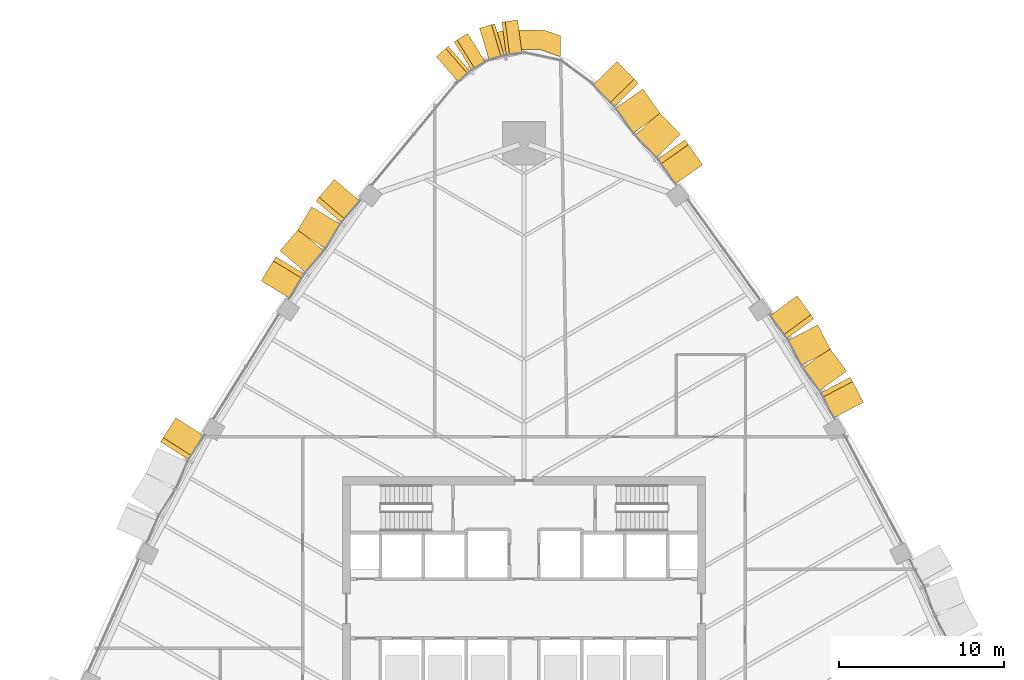
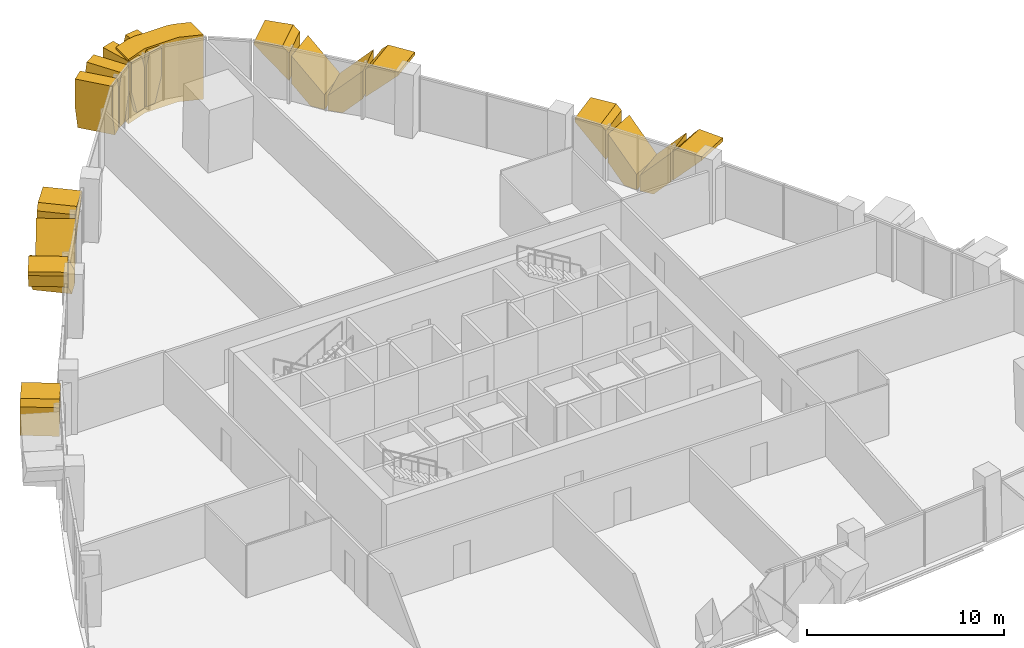
# One storey, part 16 of 17: 18 coverings.
"""IFC4 building model written with IfcOpenShell, lengths in metres."""

from ifc_helpers import new_model, si_unit, direction, frame, origin, place, context, subcontext, project, spatial, polyline, outline, extrude, material, layer, layer_set, type_object, element, save


model = new_model("IFC4")

# Units and contexts
model_context = context("Model", 3, precision=1e-05, world=origin(), true_north=direction((0.0, 1.0)))
body_context = subcontext(model_context, "Body", "Model", "MODEL_VIEW")
ifc_project = project(units=[si_unit("LENGTHUNIT", "METRE"), si_unit("AREAUNIT", "SQUARE_METRE"), si_unit("VOLUMEUNIT", "CUBIC_METRE"), si_unit("PLANEANGLEUNIT", "RADIAN"), si_unit("MASSUNIT", "GRAM", prefix="KILO")], contexts=[model_context])

# Site, building, storey
site_placement = place(None, origin())
site = spatial("IfcSite", under=ifc_project, at=site_placement, CompositionType="ELEMENT")
building_placement = place(site_placement, origin())
building = spatial("IfcBuilding", under=site, at=building_placement, Name="Sierra Prisma Convention Tower", CompositionType="ELEMENT")
storey_placement = place(building_placement, frame((0.0, 0.0, 149.800048828125)))
storey = spatial("IfcBuildingStorey", under=building, at=storey_placement, Name="L32", CompositionType="ELEMENT", Elevation=149.800048828125)

# Coverings
ifc_material_1 = material(Name="Aluminium composite bronze anodised", Category="aluminium")
ifc_layer_1 = layer(ifc_material_1, 1.199951171875)
ifc_layer_set_1 = layer_set([ifc_layer_1], Name="Bronze corner pier")
covering_type_1 = type_object("IfcCoveringType", Name="Bronze corner pier", PredefinedType="CLADDING", material=ifc_layer_set_1)
covering_1_placement = place(storey_placement, frame((0.0, 0.0, -0.60009765625)))
element("IfcCovering", 1, at=covering_1_placement, inside=storey, type_object=covering_type_1, Name="Corner pier N L32.1", PredefinedType="CLADDING", context=body_context, shape_type="SweptSolid", body=[
    extrude(outline(polyline([(-1.364990234375, 34.99169921875), (-0.966796875, 35.059814453125), (0.966796875, 35.059814453125), (1.364990234375, 34.99169921875), (2.199951171875, 34.697998046875), (2.199951171875, 33.42578125), (0.966796875, 33.859619140625), (-0.966796875, 33.859619140625), (-2.199951171875, 33.42578125), (-2.199951171875, 34.697998046875), (-1.364990234375, 34.99169921875)])), origin(), (0.0, 0.0, 1.0), 4.0),
])
ifc_material_2 = material(Name="Aluminium 6063-T6 bronze anodised", Category="aluminium")
ifc_layer_2 = layer(ifc_material_2, 2.0)
ifc_layer_set_2 = layer_set([ifc_layer_2], Name="Bronze crystal chevron frame")
covering_type_2 = type_object("IfcCoveringType", Name="Bronze crystal chevron frame", PredefinedType="CLADDING", material=ifc_layer_set_2)
covering_2_placement = place(storey_placement, frame((20.552001953125, 12.489013671875, 3.280029296875), z_axis=(0.887606322111, 0.460602882055, 4.4614027e-05), x_axis=(3.9599693e-05, 2.054935e-05, -0.999999999005)))
element("IfcCovering", 2, at=covering_2_placement, inside=storey, type_object=covering_type_2, Name="CW-2 chevron frame NE4.1.1", PredefinedType="CLADDING", context=body_context, shape_type="SweptSolid", body=[
    extrude(outline(polyline([(0.0, 0.0), (0.23120117164490728, -7.833400400877172e-22), (2.095458982933458, 1.715786077523787), (0.3234863284469355, 1.715786077523787), (-3.987140075027452e-09, 1.4182303503337503), (0.0, 0.0)])), origin(), (0.0, 0.0, -1.0), 2.0),
])
covering_3_placement = place(storey_placement, frame((19.527099609375, 14.38818359375, 2.815185546875), z_axis=(0.804667822431, 0.593725266951, 5.411485e-05), x_axis=(4.3544478e-05, 3.2129354e-05, -0.999999998536)))
element("IfcCovering", 3, at=covering_3_placement, inside=storey, type_object=covering_type_2, Name="CW-2 chevron frame NE4.1.2", PredefinedType="CLADDING", context=body_context, shape_type="SweptSolid", body=[
    extrude(outline(polyline([(0.0, 0.0), (1.7717285130308202, -6.002849705297322e-21), (2.8151855537824466, 0.9604313549576733), (2.815185545808659, 1.7160197150749164), (1.8640136722013727, 1.7160197150749164), (0.0, 0.0)])), origin(), (0.0, 0.0, -1.0), 2.0),
])
covering_4_placement = place(storey_placement, frame((18.22607421875, 16.333984375, 0.0), z_axis=(0.887609133104, 0.460597467227, -3.798948e-06), x_axis=(-0.311936224342, 0.601132781805, 0.735754830485)))
element("IfcCovering", 4, at=covering_4_placement, inside=storey, type_object=covering_type_2, Name="CW-2 chevron frame NE4.2.1", PredefinedType="CLADDING", context=body_context, shape_type="SweptSolid", body=[
    extrude(outline(polyline([(0.0, 0.0), (1.4182129536292676, 1.1102230246251565e-16), (2.721770767308585, 1.1998995622255482), (0.18830104517702229, 1.1998979587994687), (-0.5115282564758122, 0.5557187257237163), (0.0, 0.0)])), origin(), (0.0, 0.0, -1.0), 2.0),
])
covering_5_placement = place(storey_placement, frame((16.530517578125, 18.943603515625, 3.280029296875), z_axis=(0.804638072111, 0.593765587458, 7.756864e-06), x_axis=(0.593765587476, -0.804638072135, 8.5e-11)))
element("IfcCovering", 5, at=covering_5_placement, inside=storey, type_object=covering_type_2, Name="CW-2 chevron frame NE4.2.2", PredefinedType="CLADDING", context=body_context, shape_type="SweptSolid", body=[
    extrude(outline(polyline([(0.0, 0.0), (1.418158169034217, -8.470329472543003e-22), (1.715823265221849, 0.32348632828055923), (1.7158232650712495, 2.0954589844772507), (-1.9649718384997093e-11, 0.23120117186804445), (0.0, 0.0)])), origin(), (0.0, 0.0, -1.0), 2.0),
])
covering_6_placement = place(storey_placement, frame((10.8095703125, 26.884765625, 3.280029296875), z_axis=(0.817944912029, 0.575296549994, -2.1228074e-05), x_axis=(-1.7363395e-05, -1.2212438e-05, -0.999999999775)))
element("IfcCovering", 6, at=covering_6_placement, inside=storey, type_object=covering_type_2, Name="CW-2 chevron frame NE6.1.1", PredefinedType="CLADDING", context=body_context, shape_type="SweptSolid", body=[
    extrude(outline(polyline([(0.0, 0.0), (0.19628906245577302, 0.0), (2.069335937195472, 1.844316508643587), (0.35888671883086276, 1.844316508643587), (-8.592356295800021e-10, 1.4908817424537202), (0.0, 0.0)])), origin(), (0.0, 0.0, -1.0), 2.0),
])
covering_7_placement = place(storey_placement, frame((9.4658203125, 28.73486328125, 2.7890625), z_axis=(0.717809839196, 0.696239207974, 5.7639e-06), x_axis=(4.137384e-06, 4.013053e-06, -0.999999999983)))
element("IfcCovering", 7, at=covering_7_placement, inside=storey, type_object=covering_type_2, Name="CW-2 chevron frame NE6.1.2", PredefinedType="CLADDING", context=body_context, shape_type="SweptSolid", body=[
    extrude(outline(polyline([(0.0, 0.0), (1.7102050780965914, 7.243000238667449e-22), (2.789062500076762, 1.0625104340531393), (2.7890624999895124, 1.8444582500069264), (1.8730468750047287, 1.8444582500069264), (0.0, 0.0)])), origin(), (0.0, 0.0, -1.0), 2.0),
])
covering_8_placement = place(storey_placement, frame((8.260986328125, 29.963134765625, 0.0), z_axis=(0.817937679088, 0.575306833716, -1.4431368e-05), x_axis=(-0.575306833776, 0.817937679173, -6.99e-10)))
element("IfcCovering", 8, at=covering_8_placement, inside=storey, type_object=covering_type_2, Name="CW-2 chevron frame NE6.2.1", PredefinedType="CLADDING", context=body_context, shape_type="SweptSolid", body=[
    extrude(outline(polyline([(0.0, 0.0), (0.7820525425004834, 0.0), (1.844316507839079, 1.078857423277213), (1.8443165066430038, 2.7890625012241257), (-6.406386861899138e-10, 0.9160156249046132), (0.0, 0.0)])), origin(), (0.0, 0.0, -1.0), 2.0),
])
covering_9_placement = place(storey_placement, frame((5.633056640625, 33.13720703125, 3.280029296875), z_axis=(0.717872082241, 0.696175029289, -4.6192739e-05), x_axis=(0.696175030031, -0.717872083007, 2.729e-09)))
element("IfcCovering", 9, at=covering_9_placement, inside=storey, type_object=covering_type_2, Name="CW-2 chevron frame NE6.2.2", PredefinedType="CLADDING", context=body_context, shape_type="SweptSolid", body=[
    extrude(outline(polyline([(0.0, 0.0), (1.491036972557644, -6.776263578034403e-21), (1.8442882776051868, 0.35888672416533407), (1.8442882729379453, 2.0693359410904826), (-5.356069394068995e-10, 0.19628906229058224), (0.0, 0.0)])), origin(), (0.0, 0.0, -1.0), 2.0),
])
covering_10_placement = place(storey_placement, frame((-0.392822265625, 35.6513671875, 3.280029296875), z_axis=(-0.132567073574, 0.9911740364, -2.3864798e-05), x_axis=(3.163686e-06, -2.3654168e-05, -0.999999999715)))
element("IfcCovering", 10, at=covering_10_placement, inside=storey, type_object=covering_type_2, Name="CW-2 chevron frame N3.1.1", PredefinedType="CLADDING", context=body_context, shape_type="SweptSolid", body=[
    extrude(outline(polyline([(0.0, 0.0), (1.7910156244899829, 0.0), (3.280029298173356, 0.4044610655341048), (3.280029296617557, 0.9611233162991949), (0.7507324223378103, 0.9611233162991949), (-8.078560820564989e-10, 0.7571665175823399), (0.0, 0.0)])), origin(), (0.0, 0.0, -1.0), 2.0),
])
covering_11_placement = place(storey_placement, frame((-1.779052734375, 35.430908203125, 0.0), z_axis=(-0.285846861183, 0.958275310416, -3.7411765e-05), x_axis=(-0.958275311086, -0.285846861383, -3.611e-09)))
element("IfcCovering", 11, at=covering_11_placement, inside=storey, type_object=covering_type_2, Name="CW-2 chevron frame N3.1.2", PredefinedType="CLADDING", context=body_context, shape_type="SweptSolid", body=[
    extrude(outline(polyline([(0.0, 0.0), (0.556690358482719, 8.470329472543003e-22), (0.9609844166131228, 1.4890136757158638), (0.9609844101450472, 3.280029299462475), (0.2037724007224115, 3.280029300868464), (-9.134305292843346e-09, 2.5292968732299475), (0.0, 0.0)])), origin(), (0.0, 0.0, -1.0), 2.0),
])
covering_12_placement = place(storey_placement, frame((-3.41650390625, 34.833740234375, 3.280029296875), z_axis=(-0.527450840366, 0.849585552176, 2.3029461e-05), x_axis=(-1.2146908e-05, 1.9565497e-05, -0.999999999735)))
element("IfcCovering", 12, at=covering_12_placement, inside=storey, type_object=covering_type_2, Name="CW-2 chevron frame N4.1.1", PredefinedType="CLADDING", context=body_context, shape_type="SweptSolid", body=[
    extrude(outline(polyline([(0.0, 0.0), (1.7910156245250621, 0.0), (3.2800292954862273, 0.4040483082124935), (3.2800292963200857, 0.9609379961233819), (0.7507324219907999, 0.9609379961233819), (-3.465944165996615e-09, 0.7570112109603525), (0.0, 0.0)])), origin(), (0.0, 0.0, -1.0), 2.0),
])
covering_13_placement = place(storey_placement, frame((-4.590087890625, 34.06396484375, 0.0), z_axis=(-0.653913291259, 0.756569499228, 1.8754063e-05), x_axis=(-0.756569499361, -0.653913291374, 3.68e-10)))
element("IfcCovering", 13, at=covering_13_placement, inside=storey, type_object=covering_type_2, Name="CW-2 chevron frame N4.1.2", PredefinedType="CLADDING", context=body_context, shape_type="SweptSolid", body=[
    extrude(outline(polyline([(0.0, 0.0), (0.5566570077728459, 0.0), (0.9609953084321377, 1.4890136715167568), (0.960995309090576, 3.280029296201793), (0.2037187539371591, 3.2800292983645294), (9.298555853434804e-10, 2.5292968745552047), (0.0, 0.0)])), origin(), (0.0, 0.0, -1.0), 2.0),
])
covering_14_placement = place(storey_placement, frame((-11.495849609375, 25.994384765625, 3.280029296875), z_axis=(-0.76296110563, 0.646444390903, 2.7684723e-05), x_axis=(-2.1122367e-05, 1.7896634e-05, -0.999999999617)))
element("IfcCovering", 14, at=covering_14_placement, inside=storey, type_object=covering_type_2, Name="CW-2 chevron frame NW2.1.1", PredefinedType="CLADDING", context=body_context, shape_type="SweptSolid", body=[
    extrude(outline(polyline([(0.0, 0.0), (0.23364257803546304, 0.0), (2.097167968192382, 1.7077990622776997), (0.3210449219980315, 1.7077990622776997), (-1.5403725272748585e-09, 1.413672734873217), (0.0, 0.0)])), origin(), (0.0, 0.0, -1.0), 2.0),
])
covering_15_placement = place(storey_placement, frame((-12.859130859375, 24.33154296875, 2.817138671875), z_axis=(-0.854690544712, 0.519137816719, -5.745895e-06), x_axis=(4.910962e-06, -2.982911e-06, -0.999999999983)))
element("IfcCovering", 15, at=covering_15_placement, inside=storey, type_object=covering_type_2, Name="CW-2 chevron frame NW2.1.2", PredefinedType="CLADDING", context=body_context, shape_type="SweptSolid", body=[
    extrude(outline(polyline([(0.0, 0.0), (1.7761230468456806, -7.522173695404095e-22), (2.8171386719529883, 0.9537654348540697), (2.8171386718628653, 1.7075999728777846), (1.8635253906286071, 1.7075999728777846), (0.0, 0.0)])), origin(), (0.0, 0.0, -1.0), 2.0),
])
covering_16_placement = place(storey_placement, frame((-13.673095703125, 22.972900390625, 0.0), z_axis=(-0.763023179875, 0.646371121576, 1.2870459e-05), x_axis=(-0.64637112163, -0.763023179938, -6e-10)))
element("IfcCovering", 16, at=covering_16_placement, inside=storey, type_object=covering_type_2, Name="CW-2 chevron frame NW2.2.1", PredefinedType="CLADDING", context=body_context, shape_type="SweptSolid", body=[
    extrude(outline(polyline([(0.0, 0.0), (0.7538670338641428, -8.470329472543003e-22), (1.7076412474758345, 1.0410156261104824), (1.7076412464104975, 2.8171386728383765), (-5.719871641787814e-10, 0.9536132811710176), (0.0, 0.0)])), origin(), (0.0, 0.0, -1.0), 2.0),
])
covering_17_placement = place(storey_placement, frame((-15.922607421875, 19.8505859375, 3.280029296875), z_axis=(-0.854692289852, 0.519134943601, 7.5163e-07), x_axis=(0.519134943601, 0.854692289852, 1e-12)))
element("IfcCovering", 17, at=covering_17_placement, inside=storey, type_object=covering_type_2, Name="CW-2 chevron frame NW2.2.2", PredefinedType="CLADDING", context=body_context, shape_type="SweptSolid", body=[
    extrude(outline(polyline([(0.0, 0.0), (1.4136698688823133, -5.293955920339377e-23), (1.7075999728879863, 0.3210449218764622), (1.7075999728865596, 2.0971679687509606), (-1.8765370444670038e-13, 0.233642578124934), (0.0, 0.0)])), origin(), (0.0, 0.0, -1.0), 2.0),
])
covering_18_placement = place(storey_placement, frame((-21.091796875, 11.553955078125, 3.280029296875), z_axis=(-0.842728060088, 0.538339499496, -4.728076e-06), x_axis=(3.984482e-06, -2.54531e-06, -0.999999999989)))
element("IfcCovering", 18, at=covering_18_placement, inside=storey, type_object=covering_type_2, Name="CW-2 chevron frame NW4.1.1", PredefinedType="CLADDING", context=body_context, shape_type="SweptSolid", body=[
    extrude(outline(polyline([(0.0, 0.0), (0.2312011718724158, 9.791750501096465e-23), (2.09545898435881, 1.7156186275669694), (0.3234863281286157, 1.7156186275669694), (-4.478035548683131e-11, 1.4181009446095496), (0.0, 0.0)])), origin(), (0.0, 0.0, -1.0), 2.0),
])

save(model, "model.ifc")
